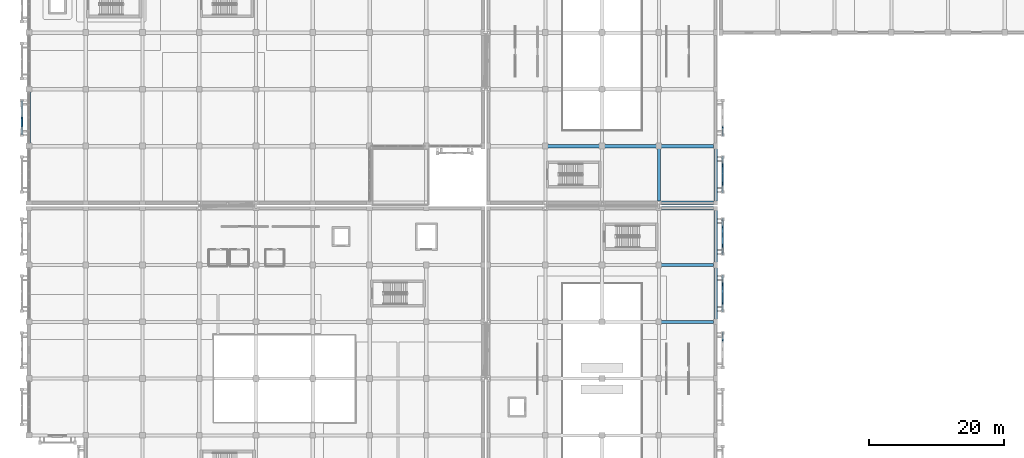
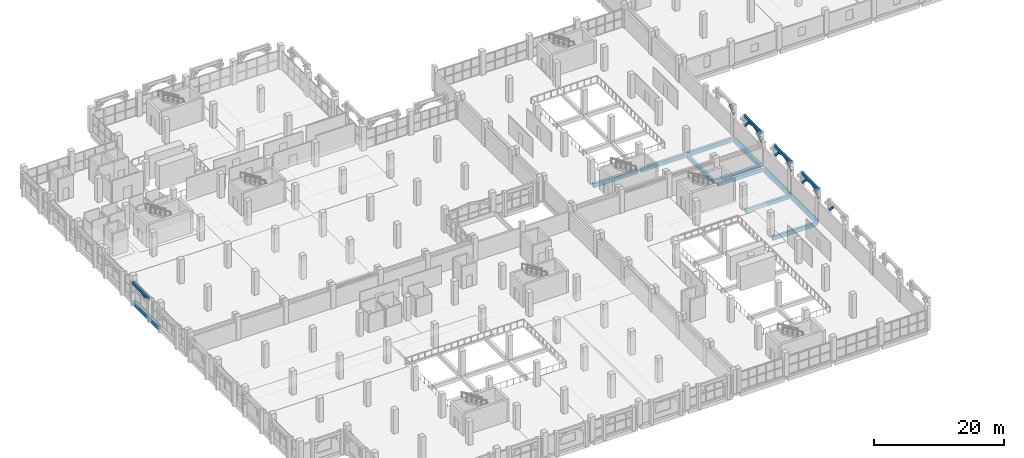
# One storey, part 45 of 137: 16 beams, 15 members.
"""IFC4 building model written with IfcOpenShell, lengths in metres."""

from ifc_helpers import new_model, si_unit, direction, frame, origin, origin_2d, place, context, subcontext, project, spatial, rectangle, extrude, material, material_profile, profile_set, type_object, element, save


model = new_model("IFC4")

# Units and contexts
model_context = context("Model", 3, precision=1e-05, world=origin(), true_north=direction((0.0, 1.0)))
body_context = subcontext(model_context, "Body", "Model", "MODEL_VIEW")
ifc_project = project(units=[si_unit("LENGTHUNIT", "METRE"), si_unit("AREAUNIT", "SQUARE_METRE"), si_unit("VOLUMEUNIT", "CUBIC_METRE"), si_unit("PLANEANGLEUNIT", "RADIAN"), si_unit("MASSUNIT", "GRAM", prefix="KILO")], contexts=[model_context])

# Site, building, storey
site_placement = place(None, origin())
site = spatial("IfcSite", under=ifc_project, at=site_placement, CompositionType="ELEMENT")
building_placement = place(site_placement, origin())
building = spatial("IfcBuilding", under=site, at=building_placement, Name="Xazarin Passage Department Store", CompositionType="ELEMENT")
storey_placement = place(building_placement, frame((0.0, 0.0, 5.39990234375)))
storey = spatial("IfcBuildingStorey", under=building, at=storey_placement, Name="L01", CompositionType="ELEMENT", Elevation=5.39990234375)

# Beams
ifc_material_1 = material(Name="Concrete C35/45", Category="concrete")
ifc_material_profile_1 = material_profile(ifc_material_1, rectangle(XDim=0.449951171875, YDim=0.699951171875, at=origin_2d()), Name="RC 450x700")
ifc_profile_set_1 = profile_set([ifc_material_profile_1], Name="Concrete C35/45")
beam_type_1 = type_object("IfcBeamType", Name="STR-BM-G450x700", PredefinedType="BEAM", material=ifc_profile_set_1)
for number, where, z_axis, x_axis, name in (
    (1, (93.47998046875, 33.60009765625, -0.64990234375), (1.0, 0.0, 0.0), (0.0, 1.0, 0.0), "L01 Grid Beam E/13-14"),
    (2, (93.47998046875, 42.0, -0.64990234375), (1.0, 0.0, 0.0), (0.0, 1.0, 0.0), "L01 Grid Beam F/13-14"),
    (3, (93.199951171875, 51.47998046875, -0.64990234375), (0.0, 1.0, 0.0), (-1.0, 0.0, 0.0), "L01 Grid Beam 13/H-J"),
):
    element("IfcBeam", number, at=place(storey_placement, frame(where, z_axis=z_axis, x_axis=x_axis)), inside=storey, type_object=beam_type_1, Name=name, PredefinedType="BEAM", context=body_context, shape_type="SweptSolid", body=[
        extrude(rectangle(XDim=0.449951171875, YDim=0.699951171875, at=origin_2d()), origin(), (0.0, 0.0, 1.0), 7.840087890625),
    ])
ifc_material_profile_2 = material_profile(ifc_material_1, rectangle(XDim=0.300048828125, YDim=0.5, at=origin_2d()), Name="RC 300x500")
ifc_profile_set_2 = profile_set([ifc_material_profile_2], Name="Concrete C35/45")
beam_type_2 = type_object("IfcBeamType", Name="STR-BM-LN300x500", PredefinedType="LINTEL", material=ifc_profile_set_2)
for number, where, z_axis, x_axis, name in (
    (4, (-1.050048828125, 61.219970703125, 4.25), (0.0, 1.0, 0.0), (-1.0, 0.0, 0.0), "L01 V1 Colonnade Spandrel Beam 009"),
    (5, (102.64990234375, 35.219970703125, 4.25), (0.0, 1.0, 0.0), (-1.0, 0.0, 0.0), "L01 V2S Colonnade Spandrel Beam 022"),
    (6, (102.64990234375, 43.6201171875, 4.25), (0.0, 1.0, 0.0), (-1.0, 0.0, 0.0), "L01 V2S Colonnade Spandrel Beam 023"),
    (7, (102.64990234375, 52.820068359375, 4.25), (0.0, 1.0, 0.0), (-1.0, 0.0, 0.0), "L01 V2N Colonnade Spandrel Beam 024"),
):
    element("IfcBeam", number, at=place(storey_placement, frame(where, z_axis=z_axis, x_axis=x_axis)), inside=storey, type_object=beam_type_2, Name=name, PredefinedType="LINTEL", context=body_context, shape_type="SweptSolid", body=[
        extrude(rectangle(XDim=0.300048828125, YDim=0.5, at=origin_2d()), origin(), (0.0, 0.0, 1.0), 5.159912109375),
    ])
ifc_material_profile_3 = material_profile(ifc_material_1, rectangle(XDim=0.5, YDim=0.75, at=origin_2d()), Name="RC 500x750")
ifc_profile_set_3 = profile_set([ifc_material_profile_3], Name="Concrete C35/45")
beam_type_3 = type_object("IfcBeamType", Name="STR-BM-SP500x750", PredefinedType="SPANDREL", material=ifc_profile_set_3)
for number, where, z_axis, x_axis, name in (
    (8, (0.0, 59.8798828125, -0.6748046875), (0.0, 1.0, 0.0), (-1.0, 0.0, 0.0), "L01 Grid Beam 1/J-K"),
    (9, (93.47998046875, 50.39990234375, -0.6748046875), (1.0, 0.0, 0.0), (0.0, 1.0, 0.0), "L01 Grid Beam G/13-14"),
    (10, (101.60009765625, 33.8798828125, -0.6748046875), (0.0, 1.0, 0.0), (-1.0, 0.0, 0.0), "L01 Grid Beam 14/E-F"),
    (11, (101.60009765625, 42.280029296875, -0.6748046875), (0.0, 1.0, 0.0), (-1.0, 0.0, 0.0), "L01 Grid Beam 14/F-G"),
    (12, (93.47998046875, 51.199951171875, -0.6748046875), (1.0, 0.0, 0.0), (0.0, 1.0, 0.0), "L01 Grid Beam H/13-14"),
    (13, (76.679931640625, 59.60009765625, -0.6748046875), (1.0, 0.0, 0.0), (0.0, 1.0, 0.0), "L01 Grid Beam J/11-12"),
):
    element("IfcBeam", number, at=place(storey_placement, frame(where, z_axis=z_axis, x_axis=x_axis)), inside=storey, type_object=beam_type_3, Name=name, PredefinedType="SPANDREL", context=body_context, shape_type="SweptSolid", body=[
        extrude(rectangle(XDim=0.5, YDim=0.75, at=origin_2d()), origin(), (0.0, 0.0, 1.0), 7.840087890625),
    ])
beam_placement = place(storey_placement, frame((85.080078125, 59.60009765625, -0.6748046875), z_axis=(1.0, 0.0, 0.0), x_axis=(0.0, 1.0, 0.0)))
element("IfcBeam", 14, at=beam_placement, inside=storey, type_object=beam_type_3, Name="L01 Grid Beam J/12-13", PredefinedType="SPANDREL", context=body_context, shape_type="SweptSolid", body=[
    extrude(rectangle(XDim=0.5, YDim=0.75, at=origin_2d()), origin(), (0.0, 0.0, 1.0), 7.83984375),
])
for number, where, z_axis, x_axis, name in (
    (15, (93.47998046875, 59.60009765625, -0.6748046875), (1.0, 0.0, 0.0), (0.0, 1.0, 0.0), "L01 Grid Beam J/13-14"),
    (16, (101.60009765625, 51.47998046875, -0.6748046875), (0.0, 1.0, 0.0), (-1.0, 0.0, 0.0), "L01 Grid Beam 14/H-J"),
):
    element("IfcBeam", number, at=place(storey_placement, frame(where, z_axis=z_axis, x_axis=x_axis)), inside=storey, type_object=beam_type_3, Name=name, PredefinedType="SPANDREL", context=body_context, shape_type="SweptSolid", body=[
        extrude(rectangle(XDim=0.5, YDim=0.75, at=origin_2d()), origin(), (0.0, 0.0, 1.0), 7.840087890625),
    ])

# Members
ifc_material_2 = material(Name="Concrete C40/50", Category="concrete")
ifc_material_profile_4 = material_profile(ifc_material_2, rectangle(XDim=0.199951171875, YDim=0.360107421875, at=origin_2d()), Name="RC 200x360")
ifc_profile_set_4 = profile_set([ifc_material_profile_4], Name="Concrete C40/50")
member_type = type_object("IfcMemberType", Name="STR-MEM-ARC360", PredefinedType="CHORD", material=ifc_profile_set_4)
member_1_placement = place(storey_placement, frame((-1.050048828125, 62.510009765625, 3.7705078125), z_axis=(0.0, 0.972393983317, 0.233345111818), x_axis=(-1.0, 0.0, 0.0)))
element("IfcMember", 17, at=member_1_placement, inside=storey, type_object=member_type, Name="L01 V1 Pierced Lattice Curved Arch 009.2", PredefinedType="CHORD", context=body_context, shape_type="SweptSolid", body=[
    extrude(rectangle(XDim=0.199951171875, YDim=0.360107421875, at=origin_2d()), origin(), (0.0, 0.0, 1.0), 1.32666015625),
])
for number, where, z_axis, x_axis, name in (
    (18, (102.64990234375, 30.68994140625, 3.7705078125), (0.0, 0.693460080602, -0.720495049679), (-1.0, 0.0, 0.0), "L01 V2S Pierced Lattice Curved Arch 021.4"),
    (19, (102.64990234375, 35.219970703125, 2.43017578125), (0.0, 0.693460080602, 0.720495049679), (-1.0, 0.0, 0.0), "L01 V2S Pierced Lattice Curved Arch 022.1"),
):
    element("IfcMember", number, at=place(storey_placement, frame(where, z_axis=z_axis, x_axis=x_axis)), inside=storey, type_object=member_type, Name=name, PredefinedType="CHORD", context=body_context, shape_type="SweptSolid", body=[
        extrude(rectangle(XDim=0.199951171875, YDim=0.360107421875, at=origin_2d()), origin(), (0.0, 0.0, 1.0), 1.8603515625),
    ])
for number, where, z_axis, x_axis, name in (
    (20, (102.64990234375, 36.510009765625, 3.7705078125), (0.0, 0.972393983317, 0.233345111818), (-1.0, 0.0, 0.0), "L01 V2S Pierced Lattice Curved Arch 022.2"),
    (21, (102.64990234375, 37.800048828125, 4.080078125), (0.0, 0.972393983317, -0.233345111818), (-1.0, 0.0, 0.0), "L01 V2S Pierced Lattice Curved Arch 022.3"),
):
    element("IfcMember", number, at=place(storey_placement, frame(where, z_axis=z_axis, x_axis=x_axis)), inside=storey, type_object=member_type, Name=name, PredefinedType="CHORD", context=body_context, shape_type="SweptSolid", body=[
        extrude(rectangle(XDim=0.199951171875, YDim=0.360107421875, at=origin_2d()), origin(), (0.0, 0.0, 1.0), 1.32666015625),
    ])
for number, where, z_axis, x_axis, name in (
    (22, (102.64990234375, 39.090087890625, 3.7705078125), (0.0, 0.693391944082, -0.720560623322), (-1.0, 0.0, 0.0), "L01 V2S Pierced Lattice Curved Arch 022.4"),
    (23, (102.64990234375, 43.6201171875, 2.43017578125), (0.0, 0.693391944082, 0.720560623322), (-1.0, 0.0, 0.0), "L01 V2S Pierced Lattice Curved Arch 023.1"),
):
    element("IfcMember", number, at=place(storey_placement, frame(where, z_axis=z_axis, x_axis=x_axis)), inside=storey, type_object=member_type, Name=name, PredefinedType="CHORD", context=body_context, shape_type="SweptSolid", body=[
        extrude(rectangle(XDim=0.199951171875, YDim=0.360107421875, at=origin_2d()), origin(), (0.0, 0.0, 1.0), 1.860107421875),
    ])
for number, where, z_axis, x_axis, name in (
    (24, (102.64990234375, 44.909912109375, 3.7705078125), (0.0, 0.972393983317, 0.233345111818), (-1.0, 0.0, 0.0), "L01 V2S Pierced Lattice Curved Arch 023.2"),
    (25, (102.64990234375, 46.199951171875, 4.080078125), (0.0, 0.972393983317, -0.233345111818), (-1.0, 0.0, 0.0), "L01 V2S Pierced Lattice Curved Arch 023.3"),
):
    element("IfcMember", number, at=place(storey_placement, frame(where, z_axis=z_axis, x_axis=x_axis)), inside=storey, type_object=member_type, Name=name, PredefinedType="CHORD", context=body_context, shape_type="SweptSolid", body=[
        extrude(rectangle(XDim=0.199951171875, YDim=0.360107421875, at=origin_2d()), origin(), (0.0, 0.0, 1.0), 1.32666015625),
    ])
for number, where, z_axis, x_axis, name in (
    (26, (102.64990234375, 47.489990234375, 3.7705078125), (0.0, 0.693460080602, -0.720495049679), (-1.0, 0.0, 0.0), "L01 V2S Pierced Lattice Curved Arch 023.4"),
    (27, (102.64990234375, 52.820068359375, 2.43017578125), (0.0, 0.693460080602, 0.720495049679), (-1.0, 0.0, 0.0), "L01 V2N Pierced Lattice Curved Arch 024.1"),
):
    element("IfcMember", number, at=place(storey_placement, frame(where, z_axis=z_axis, x_axis=x_axis)), inside=storey, type_object=member_type, Name=name, PredefinedType="CHORD", context=body_context, shape_type="SweptSolid", body=[
        extrude(rectangle(XDim=0.199951171875, YDim=0.360107421875, at=origin_2d()), origin(), (0.0, 0.0, 1.0), 1.8603515625),
    ])
member_2_placement = place(storey_placement, frame((102.64990234375, 54.110107421875, 3.7705078125), z_axis=(0.0, 0.972383960415, 0.233386875224), x_axis=(-1.0, 0.0, 0.0)))
element("IfcMember", 28, at=member_2_placement, inside=storey, type_object=member_type, Name="L01 V2N Pierced Lattice Curved Arch 024.2", PredefinedType="CHORD", context=body_context, shape_type="SweptSolid", body=[
    extrude(rectangle(XDim=0.199951171875, YDim=0.360107421875, at=origin_2d()), origin(), (0.0, 0.0, 1.0), 1.326416015625),
])
member_3_placement = place(storey_placement, frame((102.64990234375, 55.39990234375, 4.080078125), z_axis=(0.0, 0.972393983317, -0.233345111818), x_axis=(-1.0, 0.0, 0.0)))
element("IfcMember", 29, at=member_3_placement, inside=storey, type_object=member_type, Name="L01 V2N Pierced Lattice Curved Arch 024.3", PredefinedType="CHORD", context=body_context, shape_type="SweptSolid", body=[
    extrude(rectangle(XDim=0.199951171875, YDim=0.360107421875, at=origin_2d()), origin(), (0.0, 0.0, 1.0), 1.32666015625),
])
for number, where, z_axis, x_axis, name in (
    (30, (102.64990234375, 56.68994140625, 3.7705078125), (0.0, 0.693460080602, -0.720495049679), (-1.0, 0.0, 0.0), "L01 V2N Pierced Lattice Curved Arch 024.4"),
    (31, (102.64990234375, 61.219970703125, 2.43017578125), (0.0, 0.693460080602, 0.720495049679), (-1.0, 0.0, 0.0), "L01 V2N Pierced Lattice Curved Arch 025.1"),
):
    element("IfcMember", number, at=place(storey_placement, frame(where, z_axis=z_axis, x_axis=x_axis)), inside=storey, type_object=member_type, Name=name, PredefinedType="CHORD", context=body_context, shape_type="SweptSolid", body=[
        extrude(rectangle(XDim=0.199951171875, YDim=0.360107421875, at=origin_2d()), origin(), (0.0, 0.0, 1.0), 1.8603515625),
    ])

save(model, "model.ifc")
